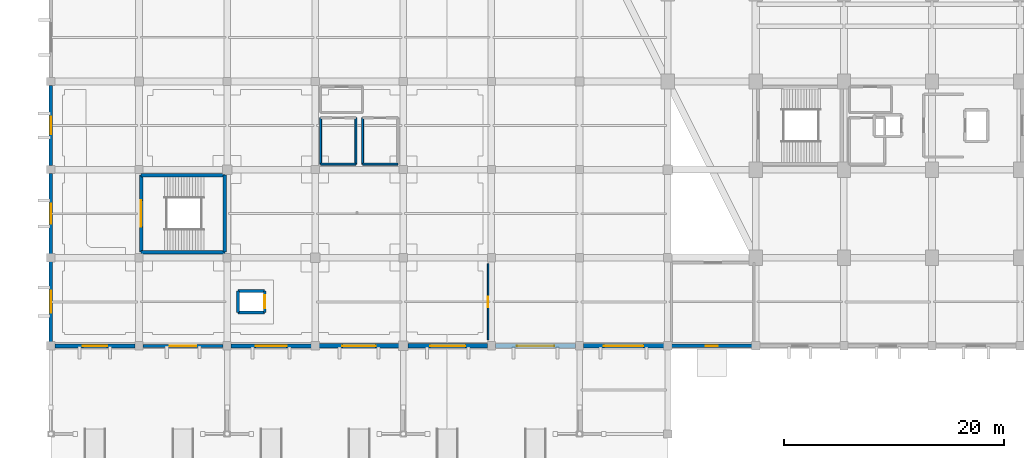
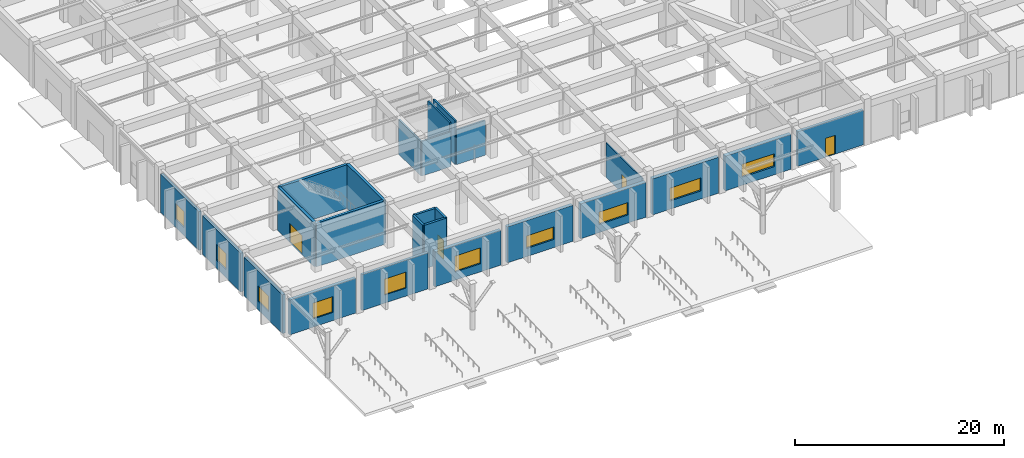
# One storey, part 22 of 39: 25 walls, 10 windows, 4 doors, 14 openings.
"""IFC4 building model written with IfcOpenShell, lengths in metres."""

from ifc_helpers import new_model, si_unit, direction, frame, frame_2d, origin, place, context, subcontext, project, spatial, rectangle, extrude, material, layer, layer_set, type_object, element, fill, save


model = new_model("IFC4")

# Units and contexts
model_context = context("Model", 3, precision=1e-05, world=origin(), true_north=direction((0.0, 1.0)))
body_context = subcontext(model_context, "Body", "Model", "MODEL_VIEW")
ifc_project = project(units=[si_unit("LENGTHUNIT", "METRE"), si_unit("AREAUNIT", "SQUARE_METRE"), si_unit("VOLUMEUNIT", "CUBIC_METRE"), si_unit("PLANEANGLEUNIT", "RADIAN"), si_unit("MASSUNIT", "GRAM", prefix="KILO")], contexts=[model_context])

# Site, building, storey
site_placement = place(None, origin())
site = spatial("IfcSite", under=ifc_project, at=site_placement, CompositionType="ELEMENT")
building_placement = place(site_placement, origin())
building = spatial("IfcBuilding", under=site, at=building_placement, Name="Tazarka Park Arena", CompositionType="ELEMENT")
storey_placement = place(building_placement, origin())
storey = spatial("IfcBuildingStorey", under=building, at=storey_placement, Name="L00", CompositionType="ELEMENT", Elevation=0.0)

# Wall
ifc_material_1 = material(Name="Concrete C40/50", Category="concrete")
ifc_layer_1 = layer(ifc_material_1, 0.300048828125, Name="Concrete C40/50")
ifc_layer_set_1 = layer_set([ifc_layer_1], Name="Concrete C40/50")
wall_type_1 = type_object("IfcWallType", Name="IWAL-CW-S1", PredefinedType="SHEAR", material=ifc_layer_set_1)
wall_1_placement = place(storey_placement, frame((15.800048828125, 16.5, 0.0), z_axis=(0.0, 0.0, 1.0), x_axis=(-1.0, 0.0, 0.0)))
element("IfcWall", 1, at=wall_1_placement, inside=storey, type_object=wall_type_1, Name="SCW-L00-ST17-S", PredefinedType="SHEAR", context=body_context, shape_type="SweptSolid", body=[
    extrude(rectangle(XDim=7.60009765625, YDim=0.300048828125, at=frame_2d((3.800048828125, 0.0))), origin(), (0.0, 0.0, 1.0), 5.080078125),
])

# Wall, opening, door
wall_2_placement = place(storey_placement, frame((8.199951171875, 16.5, 0.0), z_axis=(0.0, 0.0, 1.0), x_axis=(0.0, 1.0, 0.0)))
wall_2 = element("IfcWall", 2, at=wall_2_placement, inside=storey, type_object=wall_type_1, Name="SCW-L00-ST17-W", PredefinedType="SHEAR", context=body_context, shape_type="SweptSolid", body=[
    extrude(rectangle(XDim=7.0, YDim=0.300048828125, at=frame_2d((3.5, 0.0))), origin(), (0.0, 0.0, 1.0), 5.080078125),
])
opening_1_placement = place(wall_2_placement, frame((2.300048828125, 0.0, 0.0)))
opening_1 = element("IfcOpeningElement", 3, at=opening_1_placement, cuts=wall_2, Name="Opening ID-05", PredefinedType="OPENING", context=body_context, shape_type="SweptSolid", body=[
    extrude(rectangle(XDim=2.39990234375, YDim=2.199951171875, at=frame_2d((1.199951171875, 1.10009765625))), frame((0.0, 0.16015625, 0.0), z_axis=(0.0, -1.0, 0.0), x_axis=(1.0, 0.0, 0.0)), (0.0, 0.0, 1.0), 0.320068359375),
])
ifc_material_2 = material(Name="Fire-rated powder-coated steel and acoustic timber", Category="steel")
door_type_1 = type_object("IfcDoorType", Name="IDR-ID-05", OperationType="NOTDEFINED", PredefinedType="DOOR", material=ifc_material_2)
door_1_placement = place(opening_1_placement, origin())
door_1 = element("IfcDoor", 4, at=door_1_placement, inside=storey, type_object=door_type_1, Name="Exit Stair Door ST17-L00", OperationType="DOUBLE_DOOR_SINGLE_SWING", OverallHeight=2.199951171875, OverallWidth=2.39990234375, PredefinedType="DOOR", context=body_context, shape_type="SweptSolid", body=[
    extrude(rectangle(XDim=2.39990234375, YDim=2.199951171875, at=frame_2d((1.199951171875, 1.10009765625))), frame((0.0, 0.02490234375, 0.0), z_axis=(0.0, -1.0, 0.0), x_axis=(1.0, 0.0, 0.0)), (0.0, 0.0, 1.0), 0.050048828125),
])
fill(opening_1, door_1)

# Walls
wall_3_placement = place(storey_placement, frame((8.199951171875, 23.5, 0.0), z_axis=(0.0, 0.0, 1.0), x_axis=(1.0, 0.0, 0.0)))
element("IfcWall", 5, at=wall_3_placement, inside=storey, type_object=wall_type_1, Name="SCW-L00-ST17-N", PredefinedType="SHEAR", context=body_context, shape_type="SweptSolid", body=[
    extrude(rectangle(XDim=7.60009765625, YDim=0.300048828125, at=frame_2d((3.800048828125, 0.0))), origin(), (0.0, 0.0, 1.0), 5.080078125),
])
wall_4_placement = place(storey_placement, frame((15.800048828125, 23.5, 0.0), z_axis=(0.0, 0.0, 1.0), x_axis=(0.0, -1.0, 0.0)))
element("IfcWall", 6, at=wall_4_placement, inside=storey, type_object=wall_type_1, Name="SCW-L00-ST17-E", PredefinedType="SHEAR", context=body_context, shape_type="SweptSolid", body=[
    extrude(rectangle(XDim=7.0, YDim=0.300048828125, at=frame_2d((3.5, 0.0))), origin(), (0.0, 0.0, 1.0), 5.080078125),
])
ifc_material_3 = material(Name="Concrete C40/50", Category="concrete")
ifc_layer_2 = layer(ifc_material_3, 0.260009765625, Name="Concrete C40/50")
ifc_layer_set_2 = layer_set([ifc_layer_2], Name="Concrete C40/50")
wall_type_2 = type_object("IfcWallType", Name="IWAL-CW-S3", PredefinedType="SHEAR", material=ifc_layer_set_2)
wall_5_placement = place(storey_placement, frame((16.97998046875, 11.030029296875, 0.0), z_axis=(0.0, 0.0, 1.0), x_axis=(0.0, 1.0, 0.0)))
element("IfcWall", 7, at=wall_5_placement, inside=storey, type_object=wall_type_2, Name="LSW-L00-LF-05-W", PredefinedType="SHEAR", context=body_context, shape_type="SweptSolid", body=[
    extrude(rectangle(XDim=1.93994140625, YDim=0.260009765625, at=frame_2d((0.969970703125, 0.0))), origin(), (0.0, 0.0, 1.0), 5.080078125),
])
for number, where, z_axis, x_axis, name in (
    (8, (16.97998046875, 12.969970703125, 0.0), (0.0, 0.0, 1.0), (1.0, 0.0, 0.0), "LSW-L00-LF-05-N"),
    (9, (19.419921875, 11.030029296875, 0.0), (0.0, 0.0, 1.0), (-1.0, 0.0, 0.0), "LSW-L00-LF-05-S"),
):
    element("IfcWall", number, at=place(storey_placement, frame(where, z_axis=z_axis, x_axis=x_axis)), inside=storey, type_object=wall_type_2, Name=name, PredefinedType="SHEAR", context=body_context, shape_type="SweptSolid", body=[
        extrude(rectangle(XDim=2.43994140625, YDim=0.260009765625, at=frame_2d((1.219970703125, 0.0))), origin(), (0.0, 0.0, 1.0), 5.080078125),
    ])

# Wall, opening, door
wall_6_placement = place(storey_placement, frame((19.419921875, 12.969970703125, 0.0), z_axis=(0.0, 0.0, 1.0), x_axis=(0.0, -1.0, 0.0)))
wall_6 = element("IfcWall", 10, at=wall_6_placement, inside=storey, type_object=wall_type_2, Name="LSW-L00-LF-05-E", PredefinedType="SHEAR", context=body_context, shape_type="SweptSolid", body=[
    extrude(rectangle(XDim=1.93994140625, YDim=0.260009765625, at=frame_2d((0.969970703125, 0.0))), origin(), (0.0, 0.0, 1.0), 5.080078125),
])
opening_2_placement = place(wall_6_placement, frame((0.3701171875, 0.0, 0.0)))
opening_2 = element("IfcOpeningElement", 11, at=opening_2_placement, cuts=wall_6, Name="Opening LD-02", PredefinedType="OPENING", context=body_context, shape_type="SweptSolid", body=[
    extrude(rectangle(XDim=1.199951171875, YDim=2.14990234375, at=frame_2d((0.60009765625, 1.074951171875))), frame((0.0, 0.14013671875, 0.0), z_axis=(0.0, -1.0, 0.0), x_axis=(1.0, 0.0, 0.0)), (0.0, 0.0, 1.0), 0.280029296875),
])
ifc_material_4 = material(Name="Fire-rated powder-coated steel and acoustic timber", Category="steel")
door_type_2 = type_object("IfcDoorType", Name="IDR-LD-02", OperationType="NOTDEFINED", PredefinedType="DOOR", material=ifc_material_4)
door_2_placement = place(opening_2_placement, origin())
door_2 = element("IfcDoor", 12, at=door_2_placement, inside=storey, type_object=door_type_2, Name="Lift Landing Door LF-05-L00", OperationType="SLIDING_TO_LEFT", OverallHeight=2.14990234375, OverallWidth=1.199951171875, PredefinedType="DOOR", context=body_context, shape_type="SweptSolid", body=[
    extrude(rectangle(XDim=1.199951171875, YDim=2.14990234375, at=frame_2d((0.60009765625, 1.074951171875))), frame((0.0, 0.02490234375, 0.0), z_axis=(0.0, -1.0, 0.0), x_axis=(1.0, 0.0, 0.0)), (0.0, 0.0, 1.0), 0.050048828125),
])
fill(opening_2, door_2)

ifc_material_5 = material(Name="Acoustic gypsum stud partition")
ifc_layer_3 = layer(ifc_material_5, 0.135009765625, Name="Acoustic gypsum stud partition")
ifc_layer_set_3 = layer_set([ifc_layer_3], Name="Acoustic gypsum stud partition")
wall_type_3 = type_object("IfcWallType", Name="IWAL-PT-10", PredefinedType="PARTITIONING", material=ifc_layer_set_3)
wall_7_placement = place(storey_placement, frame((39.699951171875, 15.457763671875, 0.0), z_axis=(0.0, 0.0, 1.0), x_axis=(0.0, -1.0, 0.0)))
wall_7 = element("IfcWall", 13, at=wall_7_placement, inside=storey, type_object=wall_type_3, Name="PRT-L00-008", PredefinedType="PARTITIONING", context=body_context, shape_type="SweptSolid", body=[
    extrude(rectangle(XDim=6.91552734375, YDim=0.135009765625, at=frame_2d((3.457763671875, 0.0))), origin(), (0.0, 0.0, 1.0), 4.050048828125),
])
opening_3_placement = place(wall_7_placement, frame((2.98291015625, 0.0, 0.0)))
opening_3 = element("IfcOpeningElement", 14, at=opening_3_placement, cuts=wall_7, Name="Opening ID-09", PredefinedType="OPENING", context=body_context, shape_type="SweptSolid", body=[
    extrude(rectangle(XDim=0.949951171875, YDim=2.14990234375, at=frame_2d((0.47509765625, 1.074951171875))), frame((0.0, 0.07763671875, 0.0), z_axis=(0.0, -1.0, 0.0), x_axis=(1.0, 0.0, 0.0)), (0.0, 0.0, 1.0), 0.155029296875),
])
ifc_material_6 = material(Name="Fire-rated powder-coated steel and acoustic timber", Category="steel")
door_type_3 = type_object("IfcDoorType", Name="IDR-ID-09", OperationType="NOTDEFINED", PredefinedType="DOOR", material=ifc_material_6)
door_3_placement = place(opening_3_placement, origin())
door_3 = element("IfcDoor", 15, at=door_3_placement, inside=storey, type_object=door_type_3, Name="Room Door Park Entrance Foyer", OperationType="SINGLE_SWING_RIGHT", OverallHeight=2.14990234375, OverallWidth=0.949951171875, PredefinedType="DOOR", context=body_context, shape_type="SweptSolid", body=[
    extrude(rectangle(XDim=0.949951171875, YDim=2.14990234375, at=frame_2d((0.47509765625, 1.074951171875))), frame((0.0, 0.02490234375, 0.0), z_axis=(0.0, -1.0, 0.0), x_axis=(1.0, 0.0, 0.0)), (0.0, 0.0, 1.0), 0.050048828125),
])
fill(opening_3, door_3)

# Walls
ifc_material_7 = material(Name="Wet-zone tiled blockwork wall", Category="masonry")
ifc_layer_4 = layer(ifc_material_7, 0.175048828125, Name="Wet-zone tiled blockwork wall")
ifc_layer_set_4 = layer_set([ifc_layer_4], Name="Wet-zone tiled blockwork wall")
wall_type_4 = type_object("IfcWallType", Name="IWAL-PT-18", PredefinedType="PARTITIONING", material=ifc_layer_set_4)
wall_8_placement = place(storey_placement, frame((24.5, 24.5, 0.0), z_axis=(0.0, 0.0, 1.0), x_axis=(1.0, 0.0, 0.0)))
element("IfcWall", 16, at=wall_8_placement, inside=storey, type_object=wall_type_4, Name="WCE-L00-025", PredefinedType="PARTITIONING", context=body_context, shape_type="SweptSolid", body=[
    extrude(rectangle(XDim=3.199951171875, YDim=0.175048828125, at=frame_2d((1.60009765625, 0.0))), origin(), (0.0, 0.0, 1.0), 4.050048828125),
])
wall_9_placement = place(storey_placement, frame((27.699951171875, 24.5, 0.0), z_axis=(0.0, 0.0, 1.0), x_axis=(0.0, 1.0, 0.0)))
element("IfcWall", 17, at=wall_9_placement, inside=storey, type_object=wall_type_4, Name="WCE-L00-026", PredefinedType="PARTITIONING", context=body_context, shape_type="SweptSolid", body=[
    extrude(rectangle(XDim=4.199951171875, YDim=0.175048828125, at=frame_2d((2.10009765625, 0.0))), origin(), (0.0, 0.0, 1.0), 5.080078125),
])
wall_10_placement = place(storey_placement, frame((24.5, 28.699951171875, 0.0), z_axis=(0.0, 0.0, 1.0), x_axis=(0.0, -1.0, 0.0)))
element("IfcWall", 18, at=wall_10_placement, inside=storey, type_object=wall_type_4, Name="WCE-L00-028", PredefinedType="PARTITIONING", context=body_context, shape_type="SweptSolid", body=[
    extrude(rectangle(XDim=4.199951171875, YDim=0.175048828125, at=frame_2d((2.10009765625, 0.0))), origin(), (0.0, 0.0, 1.0), 4.050048828125),
])
wall_11_placement = place(storey_placement, frame((28.300048828125, 24.5, 0.0), z_axis=(0.0, 0.0, 1.0), x_axis=(1.0, 0.0, 0.0)))
element("IfcWall", 19, at=wall_11_placement, inside=storey, type_object=wall_type_4, Name="WCE-L00-029", PredefinedType="PARTITIONING", context=body_context, shape_type="SweptSolid", body=[
    extrude(rectangle(XDim=3.199951171875, YDim=0.175048828125, at=frame_2d((1.60009765625, 0.0))), origin(), (0.0, 0.0, 1.0), 4.050048828125),
])
wall_12_placement = place(storey_placement, frame((28.300048828125, 28.699951171875, 0.0), z_axis=(0.0, 0.0, 1.0), x_axis=(0.0, -1.0, 0.0)))
element("IfcWall", 20, at=wall_12_placement, inside=storey, type_object=wall_type_4, Name="WCE-L00-032", PredefinedType="PARTITIONING", context=body_context, shape_type="SweptSolid", body=[
    extrude(rectangle(XDim=4.199951171875, YDim=0.175048828125, at=frame_2d((2.10009765625, 0.0))), origin(), (0.0, 0.0, 1.0), 5.080078125),
])

# Wall, opening, door
ifc_material_8 = material(Name="Precast concrete C40/50", Category="concrete")
ifc_layer_5 = layer(ifc_material_8, 0.300048828125, Name="Precast concrete C40/50")
ifc_layer_set_5 = layer_set([ifc_layer_5], Name="Precast concrete C40/50")
wall_type_5 = type_object("IfcWallType", Name="WAL-EW-01", PredefinedType="SOLIDWALL", material=ifc_layer_set_5)
wall_13_placement = place(storey_placement, frame((63.64501953125, 8.0, 0.0), z_axis=(0.0, 0.0, 1.0), x_axis=(-1.0, 0.0, 0.0)))
wall_13 = element("IfcWall", 21, at=wall_13_placement, inside=storey, type_object=wall_type_5, Name="EW-L00-0144", PredefinedType="SOLIDWALL", context=body_context, shape_type="SweptSolid", body=[
    extrude(rectangle(XDim=7.2900390625, YDim=0.300048828125, at=frame_2d((3.64501953125, 0.0))), origin(), (0.0, 0.0, 1.0), 4.050048828125),
])
opening_4_placement = place(wall_13_placement, frame((3.094970703125, 0.0, 0.0)))
opening_4 = element("IfcOpeningElement", 22, at=opening_4_placement, cuts=wall_13, Name="Opening ED-04", PredefinedType="OPENING", context=body_context, shape_type="SweptSolid", body=[
    extrude(rectangle(XDim=1.10009765625, YDim=2.199951171875, at=frame_2d((0.550048828125, 1.10009765625))), frame((0.0, 0.16015625, 0.0), z_axis=(0.0, -1.0, 0.0), x_axis=(1.0, 0.0, 0.0)), (0.0, 0.0, 1.0), 0.320068359375),
])
ifc_material_9 = material(Name="Thermally broken anodised aluminium and laminated safety glass", Category="aluminium")
door_type_4 = type_object("IfcDoorType", Name="DR-ED-04", OperationType="NOTDEFINED", PredefinedType="DOOR", material=ifc_material_9)
door_4_placement = place(opening_4_placement, origin())
door_4 = element("IfcDoor", 23, at=door_4_placement, inside=storey, type_object=door_type_4, Name="Fire Command Direct Exit", OperationType="SINGLE_SWING_LEFT", OverallHeight=2.199951171875, OverallWidth=1.10009765625, PredefinedType="DOOR", context=body_context, shape_type="SweptSolid", body=[
    extrude(rectangle(XDim=1.10009765625, YDim=2.199951171875, at=frame_2d((0.550048828125, 1.10009765625))), frame((0.0, 0.02490234375, 0.0), z_axis=(0.0, -1.0, 0.0), x_axis=(1.0, 0.0, 0.0)), (0.0, 0.0, 1.0), 0.050048828125),
])
fill(opening_4, door_4)

# Wall, opening, window
ifc_material_10 = material(Name="Precast concrete C40/50", Category="concrete")
ifc_layer_6 = layer(ifc_material_10, 0.2900390625, Name="Precast concrete C40/50")
ifc_layer_set_6 = layer_set([ifc_layer_6], Name="Precast concrete C40/50")
wall_type_6 = type_object("IfcWallType", Name="WAL-EW-07", PredefinedType="SOLIDWALL", material=ifc_layer_set_6)
wall_14_placement = place(storey_placement, frame((0.0, 24.35498046875, 0.0), z_axis=(0.0, 0.0, 1.0), x_axis=(0.0, 1.0, 0.0)))
wall_14 = element("IfcWall", 24, at=wall_14_placement, inside=storey, type_object=wall_type_6, Name="EW-L00-0134", PredefinedType="SOLIDWALL", context=body_context, shape_type="SweptSolid", body=[
    extrude(rectangle(XDim=7.2900390625, YDim=0.2900390625, at=frame_2d((3.64501953125, 0.0))), origin(), (0.0, 0.0, 1.0), 4.510009765625),
])
opening_5_placement = place(wall_14_placement, frame((2.844970703125, 0.0, 0.949951171875)))
opening_5 = element("IfcOpeningElement", 25, at=opening_5_placement, cuts=wall_14, Name="Opening WN-07", PredefinedType="OPENING", context=body_context, shape_type="SweptSolid", body=[
    extrude(rectangle(XDim=1.60009765625, YDim=1.85009765625, at=frame_2d((0.800048828125, 0.925048828125))), frame((0.0, 0.155029296875, 0.0), z_axis=(0.0, -1.0, 0.0), x_axis=(1.0, 0.0, 0.0)), (0.0, 0.0, 1.0), 0.31005859375),
])
ifc_material_11 = material(Name="Thermally broken aluminium and solar-control low-e glazing", Category="aluminium")
window_type_1 = type_object("IfcWindowType", Name="WIN-WN-07", PartitioningType="DOUBLE_PANEL_VERTICAL", PredefinedType="WINDOW", material=ifc_material_11)
window_1_placement = place(opening_5_placement, origin())
window_1 = element("IfcWindow", 26, at=window_1_placement, inside=storey, type_object=window_type_1, Name="WIN-L00-0007", OverallHeight=1.85009765625, OverallWidth=1.60009765625, PartitioningType="SINGLE_PANEL", PredefinedType="WINDOW", context=body_context, shape_type="SweptSolid", body=[
    extrude(rectangle(XDim=1.60009765625, YDim=1.85009765625, at=frame_2d((0.800048828125, 0.925048828125))), frame((0.0, 0.030029296875, 0.0), z_axis=(0.0, -1.0, 0.0), x_axis=(1.0, 0.0, 0.0)), (0.0, 0.0, 1.0), 0.06005859375),
])
fill(opening_5, window_1)

ifc_material_12 = material(Name="Precast concrete C40/50", Category="concrete")
ifc_layer_7 = layer(ifc_material_12, 0.31005859375, Name="Precast concrete C40/50")
ifc_layer_set_7 = layer_set([ifc_layer_7], Name="Precast concrete C40/50")
wall_type_7 = type_object("IfcWallType", Name="WAL-EW-08", PredefinedType="SOLIDWALL", material=ifc_layer_set_7)
wall_15_placement = place(storey_placement, frame((0.0, 16.35498046875, 0.0), z_axis=(0.0, 0.0, 1.0), x_axis=(0.0, 1.0, 0.0)))
wall_15 = element("IfcWall", 27, at=wall_15_placement, inside=storey, type_object=wall_type_7, Name="EW-L00-0135", PredefinedType="SOLIDWALL", context=body_context, shape_type="SweptSolid", body=[
    extrude(rectangle(XDim=7.2900390625, YDim=0.31005859375, at=frame_2d((3.64501953125, 0.0))), origin(), (0.0, 0.0, 1.0), 4.510009765625),
])
opening_6_placement = place(wall_15_placement, frame((2.7451171875, 0.0, 0.949951171875)))
opening_6 = element("IfcOpeningElement", 28, at=opening_6_placement, cuts=wall_15, Name="Opening WN-08", PredefinedType="OPENING", context=body_context, shape_type="SweptSolid", body=[
    extrude(rectangle(XDim=1.800048828125, YDim=1.85009765625, at=frame_2d((0.89990234375, 0.925048828125))), frame((0.0, 0.1650390625, 0.0), z_axis=(0.0, -1.0, 0.0), x_axis=(1.0, 0.0, 0.0)), (0.0, 0.0, 1.0), 0.330078125),
])
ifc_material_13 = material(Name="Thermally broken aluminium and solar-control low-e glazing", Category="aluminium")
window_type_2 = type_object("IfcWindowType", Name="WIN-WN-08", PartitioningType="DOUBLE_PANEL_VERTICAL", PredefinedType="WINDOW", material=ifc_material_13)
window_2_placement = place(opening_6_placement, origin())
window_2 = element("IfcWindow", 29, at=window_2_placement, inside=storey, type_object=window_type_2, Name="WIN-L00-0008", OverallHeight=1.85009765625, OverallWidth=1.800048828125, PartitioningType="SINGLE_PANEL", PredefinedType="WINDOW", context=body_context, shape_type="SweptSolid", body=[
    extrude(rectangle(XDim=1.800048828125, YDim=1.85009765625, at=frame_2d((0.89990234375, 0.925048828125))), frame((0.0, 0.030029296875, 0.0), z_axis=(0.0, -1.0, 0.0), x_axis=(1.0, 0.0, 0.0)), (0.0, 0.0, 1.0), 0.06005859375),
])
fill(opening_6, window_2)

ifc_material_14 = material(Name="Concrete C40/50", Category="concrete")
ifc_layer_8 = layer(ifc_material_14, 0.330078125, Name="Concrete C40/50")
ifc_layer_set_8 = layer_set([ifc_layer_8], Name="Concrete C40/50")
wall_type_8 = type_object("IfcWallType", Name="WAL-EW-09", PredefinedType="SOLIDWALL", material=ifc_layer_set_8)
wall_16_placement = place(storey_placement, frame((0.0, 8.35498046875, 0.0), z_axis=(0.0, 0.0, 1.0), x_axis=(0.0, 1.0, 0.0)))
wall_16 = element("IfcWall", 30, at=wall_16_placement, inside=storey, type_object=wall_type_8, Name="EW-L00-0136", PredefinedType="SOLIDWALL", context=body_context, shape_type="SweptSolid", body=[
    extrude(rectangle(XDim=7.2900390625, YDim=0.330078125, at=frame_2d((3.64501953125, 0.0))), origin(), (0.0, 0.0, 1.0), 4.510009765625),
])
opening_7_placement = place(wall_16_placement, frame((2.64501953125, 0.0, 0.949951171875)))
opening_7 = element("IfcOpeningElement", 31, at=opening_7_placement, cuts=wall_16, Name="Opening WN-09", PredefinedType="OPENING", context=body_context, shape_type="SweptSolid", body=[
    extrude(rectangle(XDim=2.0, YDim=1.85009765625, at=frame_2d((1.0, 0.925048828125))), frame((0.0, 0.175048828125, 0.0), z_axis=(0.0, -1.0, 0.0), x_axis=(1.0, 0.0, 0.0)), (0.0, 0.0, 1.0), 0.35009765625),
])
ifc_material_15 = material(Name="Thermally broken aluminium and solar-control low-e glazing", Category="aluminium")
window_type_3 = type_object("IfcWindowType", Name="WIN-WN-09", PartitioningType="DOUBLE_PANEL_VERTICAL", PredefinedType="WINDOW", material=ifc_material_15)
window_3_placement = place(opening_7_placement, origin())
window_3 = element("IfcWindow", 32, at=window_3_placement, inside=storey, type_object=window_type_3, Name="WIN-L00-0009", OverallHeight=1.85009765625, OverallWidth=2.0, PartitioningType="SINGLE_PANEL", PredefinedType="WINDOW", context=body_context, shape_type="SweptSolid", body=[
    extrude(rectangle(XDim=2.0, YDim=1.85009765625, at=frame_2d((1.0, 0.925048828125))), frame((0.0, 0.030029296875, 0.0), z_axis=(0.0, -1.0, 0.0), x_axis=(1.0, 0.0, 0.0)), (0.0, 0.0, 1.0), 0.06005859375),
])
fill(opening_7, window_3)

ifc_material_16 = material(Name="Concrete C40/50", Category="concrete")
ifc_layer_9 = layer(ifc_material_16, 0.35009765625, Name="Concrete C40/50")
ifc_layer_set_9 = layer_set([ifc_layer_9], Name="Concrete C40/50")
wall_type_9 = type_object("IfcWallType", Name="WAL-EW-10", PredefinedType="SOLIDWALL", material=ifc_layer_set_9)
wall_17_placement = place(storey_placement, frame((7.64501953125, 8.0, 0.0), z_axis=(0.0, 0.0, 1.0), x_axis=(-1.0, 0.0, 0.0)))
wall_17 = element("IfcWall", 33, at=wall_17_placement, inside=storey, type_object=wall_type_9, Name="EW-L00-0137", PredefinedType="SOLIDWALL", context=body_context, shape_type="SweptSolid", body=[
    extrude(rectangle(XDim=7.2900390625, YDim=0.35009765625, at=frame_2d((3.64501953125, 0.0))), origin(), (0.0, 0.0, 1.0), 4.050048828125),
])
opening_8_placement = place(wall_17_placement, frame((2.544921875, 0.0, 0.949951171875)))
opening_8 = element("IfcOpeningElement", 34, at=opening_8_placement, cuts=wall_17, Name="Opening WN-10", PredefinedType="OPENING", context=body_context, shape_type="SweptSolid", body=[
    extrude(rectangle(XDim=2.199951171875, YDim=1.85009765625, at=frame_2d((1.10009765625, 0.925048828125))), frame((0.0, 0.18505859375, 0.0), z_axis=(0.0, -1.0, 0.0), x_axis=(1.0, 0.0, 0.0)), (0.0, 0.0, 1.0), 0.3701171875),
])
ifc_material_17 = material(Name="Thermally broken aluminium and solar-control low-e glazing", Category="aluminium")
window_type_4 = type_object("IfcWindowType", Name="WIN-WN-10", PartitioningType="DOUBLE_PANEL_VERTICAL", PredefinedType="WINDOW", material=ifc_material_17)
window_4_placement = place(opening_8_placement, origin())
window_4 = element("IfcWindow", 35, at=window_4_placement, inside=storey, type_object=window_type_4, Name="WIN-L00-0010", OverallHeight=1.85009765625, OverallWidth=2.199951171875, PartitioningType="SINGLE_PANEL", PredefinedType="WINDOW", context=body_context, shape_type="SweptSolid", body=[
    extrude(rectangle(XDim=2.199951171875, YDim=1.85009765625, at=frame_2d((1.10009765625, 0.925048828125))), frame((0.0, 0.030029296875, 0.0), z_axis=(0.0, -1.0, 0.0), x_axis=(1.0, 0.0, 0.0)), (0.0, 0.0, 1.0), 0.06005859375),
])
fill(opening_8, window_4)

ifc_material_18 = material(Name="Precast concrete C40/50", Category="concrete")
ifc_layer_10 = layer(ifc_material_18, 0.27001953125, Name="Precast concrete C40/50")
ifc_layer_set_10 = layer_set([ifc_layer_10], Name="Precast concrete C40/50")
wall_type_10 = type_object("IfcWallType", Name="WAL-EW-11", PredefinedType="SOLIDWALL", material=ifc_layer_set_10)
wall_18_placement = place(storey_placement, frame((15.64501953125, 8.0, 0.0), z_axis=(0.0, 0.0, 1.0), x_axis=(-1.0, 0.0, 0.0)))
wall_18 = element("IfcWall", 36, at=wall_18_placement, inside=storey, type_object=wall_type_10, Name="EW-L00-0138", PredefinedType="SOLIDWALL", context=body_context, shape_type="SweptSolid", body=[
    extrude(rectangle(XDim=7.2900390625, YDim=0.27001953125, at=frame_2d((3.64501953125, 0.0))), origin(), (0.0, 0.0, 1.0), 4.199951171875),
])
opening_9_placement = place(wall_18_placement, frame((2.445068359375, 0.0, 0.949951171875)))
opening_9 = element("IfcOpeningElement", 37, at=opening_9_placement, cuts=wall_18, Name="Opening WN-11", PredefinedType="OPENING", context=body_context, shape_type="SweptSolid", body=[
    extrude(rectangle(XDim=2.39990234375, YDim=1.85009765625, at=frame_2d((1.199951171875, 0.925048828125))), frame((0.0, 0.14501953125, 0.0), z_axis=(0.0, -1.0, 0.0), x_axis=(1.0, 0.0, 0.0)), (0.0, 0.0, 1.0), 0.2900390625),
])
ifc_material_19 = material(Name="Thermally broken aluminium and solar-control low-e glazing", Category="aluminium")
window_type_5 = type_object("IfcWindowType", Name="WIN-WN-11", PartitioningType="DOUBLE_PANEL_VERTICAL", PredefinedType="WINDOW", material=ifc_material_19)
window_5_placement = place(opening_9_placement, origin())
window_5 = element("IfcWindow", 38, at=window_5_placement, inside=storey, type_object=window_type_5, Name="WIN-L00-0011", OverallHeight=1.85009765625, OverallWidth=2.39990234375, PartitioningType="SINGLE_PANEL", PredefinedType="WINDOW", context=body_context, shape_type="SweptSolid", body=[
    extrude(rectangle(XDim=2.39990234375, YDim=1.85009765625, at=frame_2d((1.199951171875, 0.925048828125))), frame((0.0, 0.030029296875, 0.0), z_axis=(0.0, -1.0, 0.0), x_axis=(1.0, 0.0, 0.0)), (0.0, 0.0, 1.0), 0.06005859375),
])
fill(opening_9, window_5)

ifc_material_20 = material(Name="Concrete C40/50", Category="concrete")
ifc_layer_11 = layer(ifc_material_20, 0.3701171875, Name="Concrete C40/50")
ifc_layer_set_11 = layer_set([ifc_layer_11], Name="Concrete C40/50")
wall_type_11 = type_object("IfcWallType", Name="WAL-EW-12", PredefinedType="SOLIDWALL", material=ifc_layer_set_11)
wall_19_placement = place(storey_placement, frame((23.64501953125, 8.0, 0.0), z_axis=(0.0, 0.0, 1.0), x_axis=(-1.0, 0.0, 0.0)))
wall_19 = element("IfcWall", 39, at=wall_19_placement, inside=storey, type_object=wall_type_11, Name="EW-L00-0139", PredefinedType="SOLIDWALL", context=body_context, shape_type="SweptSolid", body=[
    extrude(rectangle(XDim=7.2900390625, YDim=0.3701171875, at=frame_2d((3.64501953125, 0.0))), origin(), (0.0, 0.0, 1.0), 4.050048828125),
])
opening_10_placement = place(wall_19_placement, frame((2.2451171875, 0.0, 0.949951171875)))
opening_10 = element("IfcOpeningElement", 40, at=opening_10_placement, cuts=wall_19, Name="Opening WN-12", PredefinedType="OPENING", context=body_context, shape_type="SweptSolid", body=[
    extrude(rectangle(XDim=2.800048828125, YDim=1.85009765625, at=frame_2d((1.39990234375, 0.925048828125))), frame((0.0, 0.195068359375, 0.0), z_axis=(0.0, -1.0, 0.0), x_axis=(1.0, 0.0, 0.0)), (0.0, 0.0, 1.0), 0.39013671875),
])
ifc_material_21 = material(Name="Thermally broken aluminium and solar-control low-e glazing", Category="aluminium")
window_type_6 = type_object("IfcWindowType", Name="WIN-WN-12", PartitioningType="DOUBLE_PANEL_VERTICAL", PredefinedType="WINDOW", material=ifc_material_21)
window_6_placement = place(opening_10_placement, origin())
window_6 = element("IfcWindow", 41, at=window_6_placement, inside=storey, type_object=window_type_6, Name="WIN-L00-0012", OverallHeight=1.85009765625, OverallWidth=2.800048828125, PartitioningType="SINGLE_PANEL", PredefinedType="WINDOW", context=body_context, shape_type="SweptSolid", body=[
    extrude(rectangle(XDim=2.800048828125, YDim=1.85009765625, at=frame_2d((1.39990234375, 0.925048828125))), frame((0.0, 0.030029296875, 0.0), z_axis=(0.0, -1.0, 0.0), x_axis=(1.0, 0.0, 0.0)), (0.0, 0.0, 1.0), 0.06005859375),
])
fill(opening_10, window_6)

ifc_material_22 = material(Name="Concrete C50/60", Category="concrete")
ifc_layer_12 = layer(ifc_material_22, 0.389892578125, Name="Concrete C50/60")
ifc_layer_set_12 = layer_set([ifc_layer_12], Name="Concrete C50/60")
wall_type_12 = type_object("IfcWallType", Name="WAL-EW-13", PredefinedType="SOLIDWALL", material=ifc_layer_set_12)
wall_20_placement = place(storey_placement, frame((31.594970703125, 8.0, 0.0), z_axis=(0.0, 0.0, 1.0), x_axis=(-1.0, 0.0, 0.0)))
wall_20 = element("IfcWall", 42, at=wall_20_placement, inside=storey, type_object=wall_type_12, Name="EW-L00-0140", PredefinedType="SOLIDWALL", context=body_context, shape_type="SweptSolid", body=[
    extrude(rectangle(XDim=7.239990234375, YDim=0.389892578125, at=frame_2d((3.6201171875, 0.0))), origin(), (0.0, 0.0, 1.0), 4.199951171875),
])
opening_11_placement = place(wall_20_placement, frame((2.1201171875, 0.0, 0.949951171875)))
opening_11 = element("IfcOpeningElement", 43, at=opening_11_placement, cuts=wall_20, Name="Opening WN-13", PredefinedType="OPENING", context=body_context, shape_type="SweptSolid", body=[
    extrude(rectangle(XDim=3.0, YDim=1.449951171875, at=frame_2d((1.5, 0.72509765625))), frame((0.0, 0.205078125, 0.0), z_axis=(0.0, -1.0, 0.0), x_axis=(1.0, 0.0, 0.0)), (0.0, 0.0, 1.0), 0.409912109375),
])
ifc_material_23 = material(Name="Thermally broken aluminium and solar-control low-e glazing", Category="aluminium")
window_type_7 = type_object("IfcWindowType", Name="WIN-WN-13", PartitioningType="DOUBLE_PANEL_VERTICAL", PredefinedType="WINDOW", material=ifc_material_23)
window_7_placement = place(opening_11_placement, origin())
window_7 = element("IfcWindow", 44, at=window_7_placement, inside=storey, type_object=window_type_7, Name="WIN-L00-0013", OverallHeight=1.449951171875, OverallWidth=3.0, PartitioningType="SINGLE_PANEL", PredefinedType="WINDOW", context=body_context, shape_type="SweptSolid", body=[
    extrude(rectangle(XDim=3.0, YDim=1.449951171875, at=frame_2d((1.5, 0.72509765625))), frame((0.0, 0.030029296875, 0.0), z_axis=(0.0, -1.0, 0.0), x_axis=(1.0, 0.0, 0.0)), (0.0, 0.0, 1.0), 0.06005859375),
])
fill(opening_11, window_7)

ifc_material_24 = material(Name="Concrete C50/60", Category="concrete")
ifc_layer_13 = layer(ifc_material_24, 0.409912109375, Name="Concrete C50/60")
ifc_layer_set_13 = layer_set([ifc_layer_13], Name="Concrete C50/60")
wall_type_13 = type_object("IfcWallType", Name="WAL-EW-14", PredefinedType="SOLIDWALL", material=ifc_layer_set_13)
wall_21_placement = place(storey_placement, frame((39.64501953125, 8.0, 0.0), z_axis=(0.0, 0.0, 1.0), x_axis=(-1.0, 0.0, 0.0)))
wall_21 = element("IfcWall", 45, at=wall_21_placement, inside=storey, type_object=wall_type_13, Name="EW-L00-0141", PredefinedType="SOLIDWALL", context=body_context, shape_type="SweptSolid", body=[
    extrude(rectangle(XDim=7.239990234375, YDim=0.409912109375, at=frame_2d((3.6201171875, 0.0))), origin(), (0.0, 0.0, 1.0), 4.050048828125),
])
opening_12_placement = place(wall_21_placement, frame((2.02001953125, 0.0, 0.949951171875)))
opening_12 = element("IfcOpeningElement", 46, at=opening_12_placement, cuts=wall_21, Name="Opening WN-14", PredefinedType="OPENING", context=body_context, shape_type="SweptSolid", body=[
    extrude(rectangle(XDim=3.199951171875, YDim=1.449951171875, at=frame_2d((1.60009765625, 0.72509765625))), frame((0.0, 0.21484375, 0.0), z_axis=(0.0, -1.0, 0.0), x_axis=(1.0, 0.0, 0.0)), (0.0, 0.0, 1.0), 0.429931640625),
])
ifc_material_25 = material(Name="Thermally broken aluminium and solar-control low-e glazing", Category="aluminium")
window_type_8 = type_object("IfcWindowType", Name="WIN-WN-14", PartitioningType="DOUBLE_PANEL_VERTICAL", PredefinedType="WINDOW", material=ifc_material_25)
window_8_placement = place(opening_12_placement, origin())
window_8 = element("IfcWindow", 47, at=window_8_placement, inside=storey, type_object=window_type_8, Name="WIN-L00-0014", OverallHeight=1.449951171875, OverallWidth=3.199951171875, PartitioningType="SINGLE_PANEL", PredefinedType="WINDOW", context=body_context, shape_type="SweptSolid", body=[
    extrude(rectangle(XDim=3.199951171875, YDim=1.449951171875, at=frame_2d((1.60009765625, 0.72509765625))), frame((0.0, 0.030029296875, 0.0), z_axis=(0.0, -1.0, 0.0), x_axis=(1.0, 0.0, 0.0)), (0.0, 0.0, 1.0), 0.06005859375),
])
fill(opening_12, window_8)

ifc_material_26 = material(Name="Concrete C50/60", Category="concrete")
ifc_layer_14 = layer(ifc_material_26, 0.419921875, Name="Concrete C50/60")
ifc_layer_set_14 = layer_set([ifc_layer_14], Name="Concrete C50/60")
wall_type_14 = type_object("IfcWallType", Name="WAL-EW-15", PredefinedType="SOLIDWALL", material=ifc_layer_set_14)
wall_22_placement = place(storey_placement, frame((47.64501953125, 8.0, 0.0), z_axis=(0.0, 0.0, 1.0), x_axis=(-1.0, 0.0, 0.0)))
wall_22 = element("IfcWall", 48, at=wall_22_placement, inside=storey, type_object=wall_type_14, Name="EW-L00-0142", PredefinedType="SOLIDWALL", context=body_context, shape_type="SweptSolid", body=[
    extrude(rectangle(XDim=7.2900390625, YDim=0.419921875, at=frame_2d((3.64501953125, 0.0))), origin(), (0.0, 0.0, 1.0), 4.199951171875),
])
opening_13_placement = place(wall_22_placement, frame((1.945068359375, 0.0, 0.949951171875)))
opening_13 = element("IfcOpeningElement", 49, at=opening_13_placement, cuts=wall_22, Name="Opening WN-15", PredefinedType="OPENING", context=body_context, shape_type="SweptSolid", body=[
    extrude(rectangle(XDim=3.39990234375, YDim=1.5, at=frame_2d((1.699951171875, 0.75))), frame((0.0, 0.219970703125, 0.0), z_axis=(0.0, -1.0, 0.0), x_axis=(1.0, 0.0, 0.0)), (0.0, 0.0, 1.0), 0.43994140625),
])
ifc_material_27 = material(Name="Thermally broken aluminium and solar-control low-e glazing", Category="aluminium")
window_type_9 = type_object("IfcWindowType", Name="WIN-WN-15", PartitioningType="DOUBLE_PANEL_VERTICAL", PredefinedType="WINDOW", material=ifc_material_27)
window_9_placement = place(opening_13_placement, origin())
window_9 = element("IfcWindow", 50, at=window_9_placement, inside=storey, type_object=window_type_9, Name="WIN-L00-0015", OverallHeight=1.5, OverallWidth=3.39990234375, PartitioningType="SINGLE_PANEL", PredefinedType="WINDOW", context=body_context, shape_type="SweptSolid", body=[
    extrude(rectangle(XDim=3.39990234375, YDim=1.5, at=frame_2d((1.699951171875, 0.75))), frame((0.0, 0.030029296875, 0.0), z_axis=(0.0, -1.0, 0.0), x_axis=(1.0, 0.0, 0.0)), (0.0, 0.0, 1.0), 0.06005859375),
])
fill(opening_13, window_9)

ifc_material_28 = material(Name="Concrete C50/60", Category="concrete")
ifc_layer_15 = layer(ifc_material_28, 0.429931640625, Name="Concrete C50/60")
ifc_layer_set_15 = layer_set([ifc_layer_15], Name="Concrete C50/60")
wall_type_15 = type_object("IfcWallType", Name="WAL-EW-16", PredefinedType="SOLIDWALL", material=ifc_layer_set_15)
wall_23_placement = place(storey_placement, frame((55.64501953125, 8.0, 0.0), z_axis=(0.0, 0.0, 1.0), x_axis=(-1.0, 0.0, 0.0)))
wall_23 = element("IfcWall", 51, at=wall_23_placement, inside=storey, type_object=wall_type_15, Name="EW-L00-0143", PredefinedType="SOLIDWALL", context=body_context, shape_type="SweptSolid", body=[
    extrude(rectangle(XDim=7.2900390625, YDim=0.429931640625, at=frame_2d((3.64501953125, 0.0))), origin(), (0.0, 0.0, 1.0), 4.050048828125),
])
opening_14_placement = place(wall_23_placement, frame((1.844970703125, 0.0, 0.949951171875)))
opening_14 = element("IfcOpeningElement", 52, at=opening_14_placement, cuts=wall_23, Name="Opening WN-16", PredefinedType="OPENING", context=body_context, shape_type="SweptSolid", body=[
    extrude(rectangle(XDim=3.60009765625, YDim=1.5, at=frame_2d((1.800048828125, 0.75))), frame((0.0, 0.22509765625, 0.0), z_axis=(0.0, -1.0, 0.0), x_axis=(1.0, 0.0, 0.0)), (0.0, 0.0, 1.0), 0.449951171875),
])
ifc_material_29 = material(Name="Thermally broken aluminium and solar-control low-e glazing", Category="aluminium")
window_type_10 = type_object("IfcWindowType", Name="WIN-WN-16", PartitioningType="DOUBLE_PANEL_VERTICAL", PredefinedType="WINDOW", material=ifc_material_29)
window_10_placement = place(opening_14_placement, origin())
window_10 = element("IfcWindow", 53, at=window_10_placement, inside=storey, type_object=window_type_10, Name="WIN-L00-0016", OverallHeight=1.5, OverallWidth=3.60009765625, PartitioningType="SINGLE_PANEL", PredefinedType="WINDOW", context=body_context, shape_type="SweptSolid", body=[
    extrude(rectangle(XDim=3.60009765625, YDim=1.5, at=frame_2d((1.800048828125, 0.75))), frame((0.0, 0.030029296875, 0.0), z_axis=(0.0, -1.0, 0.0), x_axis=(1.0, 0.0, 0.0)), (0.0, 0.0, 1.0), 0.06005859375),
])
fill(opening_14, window_10)

save(model, "model.ifc")
